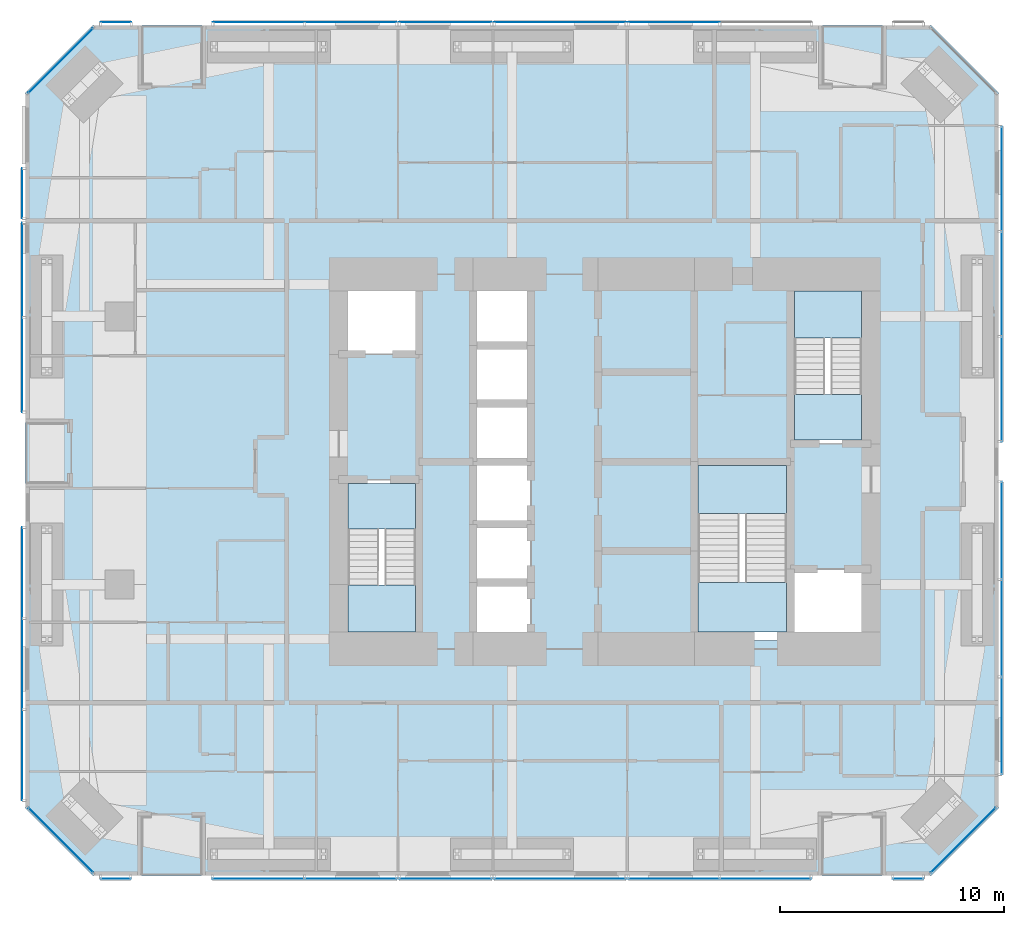
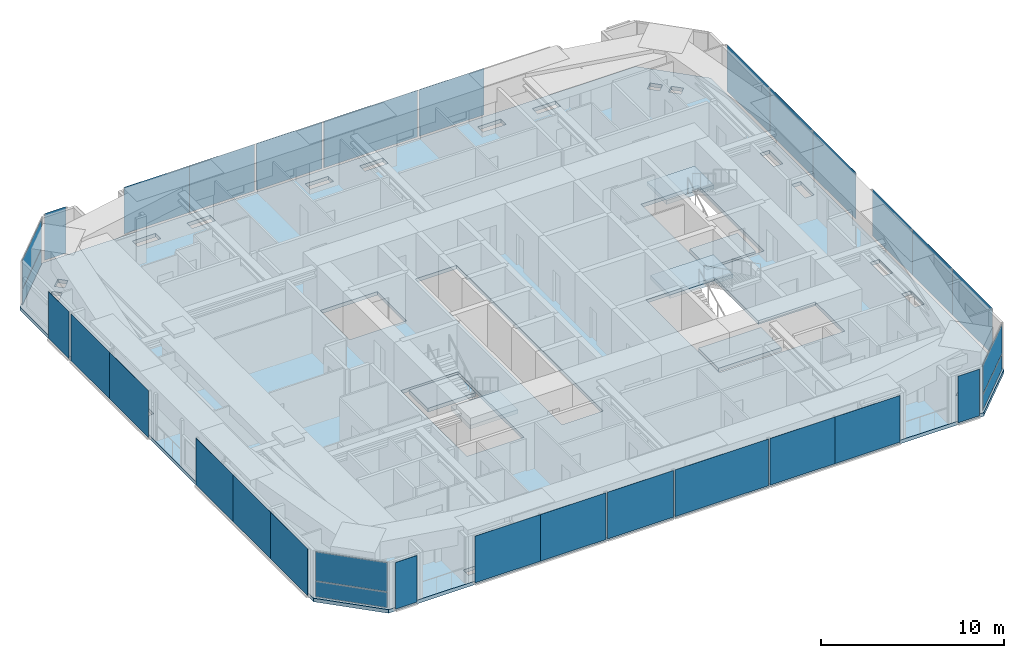
# One storey, part 15 of 23: 32 plates, 7 slabs, 22 elements without a shape of their own.
"""IFC4 building model written with IfcOpenShell, lengths in metres."""

from ifc_helpers import new_model, si_unit, direction, frame, origin, origin_2d, place, context, subcontext, project, spatial, polyline, rectangle, outline, extrude, material, layer, layer_set, type_object, element, aggregate, save


model = new_model("IFC4")

# Units and contexts
model_context = context("Model", 3, precision=1e-05, world=origin(), true_north=direction((0.0, 1.0)))
body_context = subcontext(model_context, "Body", "Model", "MODEL_VIEW")
ifc_project = project(units=[si_unit("LENGTHUNIT", "METRE"), si_unit("AREAUNIT", "SQUARE_METRE"), si_unit("VOLUMEUNIT", "CUBIC_METRE"), si_unit("PLANEANGLEUNIT", "RADIAN"), si_unit("MASSUNIT", "GRAM", prefix="KILO")], contexts=[model_context])

# Site, building, storey
site_placement = place(None, origin())
site = spatial("IfcSite", under=ifc_project, at=site_placement, CompositionType="ELEMENT")
building_placement = place(site_placement, origin())
building = spatial("IfcBuilding", under=site, at=building_placement, Name="Jalousie Tower", CompositionType="ELEMENT")
storey_placement = place(building_placement, frame((0.0, 0.0, 114.89990234375)))
storey = spatial("IfcBuildingStorey", under=building, at=storey_placement, Name="L31", CompositionType="ELEMENT", Elevation=114.89990234375)

# Curtain wall, plates
ifc_material_1 = material(Name="Aluminium curtain wall", Category="aluminium")
curtain_wall_type_1 = type_object("IfcCurtainWallType", Name="CORNER WINDOW WALL", PredefinedType="USERDEFINED", material=ifc_material_1)
curtain_wall_1_placement = place(storey_placement, origin())
curtain_wall_1 = element("IfcCurtainWall", 1, at=curtain_wall_1_placement, inside=storey, type_object=curtain_wall_type_1, Name="Corner Window Wall L31 2", ObjectType="CORNER WINDOW WALL", PredefinedType="USERDEFINED")
ifc_material_2 = material(Name="Laminated impact-rated spandrel glass", Category="glass")
ifc_layer_1 = layer(ifc_material_2, 0.028076171875)
ifc_layer_set_1 = layer_set([ifc_layer_1], Name="Laminated impact-rated spandrel glass")
plate_type_1 = type_object("IfcPlateType", Name="CORNER WINDOW WALL PANEL", PredefinedType="CURTAIN_PANEL", material=ifc_layer_set_1)
plate_1_placement = place(storey_placement, frame((47.9306640625, 1.5693359375, 0.06005859375), z_axis=(0.0, 0.0, 1.0), x_axis=(0.707106781187, 0.707106781187, 0.0)))
plate_1 = element("IfcPlate", 2, at=plate_1_placement, type_object=plate_type_1, Name="CW-C panel 1.1", PredefinedType="CURTAIN_PANEL", context=body_context, shape_type="SweptSolid", body=[
    extrude(rectangle(XDim=4.071533203125, YDim=0.028076171875, at=origin_2d()), origin(), (0.0, 0.0, 1.0), 1.010009765625),
])
plate_2_placement = place(storey_placement, frame((47.9306640625, 1.5693359375, 1.130126953125), z_axis=(0.0, 0.0, 1.0), x_axis=(0.707106781187, 0.707106781187, 0.0)))
plate_2 = element("IfcPlate", 3, at=plate_2_placement, type_object=plate_type_1, Name="CW-C panel 1.2", PredefinedType="CURTAIN_PANEL", context=body_context, shape_type="SweptSolid", body=[
    extrude(rectangle(XDim=4.071533203125, YDim=0.028076171875, at=origin_2d()), origin(), (0.0, 0.0, 1.0), 1.919921875),
])
aggregate(curtain_wall_1, [plate_1, plate_2])

curtain_wall_2_placement = place(storey_placement, origin())
curtain_wall_2 = element("IfcCurtainWall", 4, at=curtain_wall_2_placement, inside=storey, type_object=curtain_wall_type_1, Name="Corner Window Wall L31 6", ObjectType="CORNER WINDOW WALL", PredefinedType="USERDEFINED")
plate_3_placement = place(storey_placement, frame((7.5693359375, 36.4306640625, 0.06005859375), z_axis=(0.0, 0.0, 1.0), x_axis=(-0.707106781187, -0.707106781187, 0.0)))
plate_3 = element("IfcPlate", 5, at=plate_3_placement, type_object=plate_type_1, Name="CW-C panel 1.1", PredefinedType="CURTAIN_PANEL", context=body_context, shape_type="SweptSolid", body=[
    extrude(rectangle(XDim=4.071533203125, YDim=0.028076171875, at=origin_2d()), origin(), (0.0, 0.0, 1.0), 1.010009765625),
])
plate_4_placement = place(storey_placement, frame((7.5693359375, 36.4306640625, 1.130126953125), z_axis=(0.0, 0.0, 1.0), x_axis=(-0.707106781187, -0.707106781187, 0.0)))
plate_4 = element("IfcPlate", 6, at=plate_4_placement, type_object=plate_type_1, Name="CW-C panel 1.2", PredefinedType="CURTAIN_PANEL", context=body_context, shape_type="SweptSolid", body=[
    extrude(rectangle(XDim=4.071533203125, YDim=0.028076171875, at=origin_2d()), origin(), (0.0, 0.0, 1.0), 1.919921875),
])
aggregate(curtain_wall_2, [plate_3, plate_4])

curtain_wall_3_placement = place(storey_placement, origin())
curtain_wall_3 = element("IfcCurtainWall", 7, at=curtain_wall_3_placement, inside=storey, type_object=curtain_wall_type_1, Name="Corner Window Wall L31 8", ObjectType="CORNER WINDOW WALL", PredefinedType="USERDEFINED")
plate_5_placement = place(storey_placement, frame((7.5693359375, 1.5693359375, 0.06005859375), z_axis=(0.0, 0.0, 1.0), x_axis=(0.707106781187, -0.707106781187, 0.0)))
plate_5 = element("IfcPlate", 8, at=plate_5_placement, type_object=plate_type_1, Name="CW-C panel 1.1", PredefinedType="CURTAIN_PANEL", context=body_context, shape_type="SweptSolid", body=[
    extrude(rectangle(XDim=4.071533203125, YDim=0.028076171875, at=origin_2d()), origin(), (0.0, 0.0, 1.0), 1.010009765625),
])
plate_6_placement = place(storey_placement, frame((7.5693359375, 1.5693359375, 1.130126953125), z_axis=(0.0, 0.0, 1.0), x_axis=(0.707106781187, -0.707106781187, 0.0)))
plate_6 = element("IfcPlate", 9, at=plate_6_placement, type_object=plate_type_1, Name="CW-C panel 1.2", PredefinedType="CURTAIN_PANEL", context=body_context, shape_type="SweptSolid", body=[
    extrude(rectangle(XDim=4.071533203125, YDim=0.028076171875, at=origin_2d()), origin(), (0.0, 0.0, 1.0), 1.919921875),
])
aggregate(curtain_wall_3, [plate_5, plate_6])

# Slab
ifc_material_3 = material(Name="Concrete f'c 40 MPa", Category="concrete")
ifc_layer_2 = layer(ifc_material_3, 0.239990234375)
ifc_layer_set_2 = layer_set([ifc_layer_2], Name="Concrete f'c 40 MPa")
slab_type_1 = type_object("IfcSlabType", Name="FLOOR SLAB 240", PredefinedType="FLOOR", material=ifc_layer_set_2)
slab_1_placement = place(storey_placement, frame((0.0, 0.0, -0.239990234375)))
element("IfcSlab", 10, at=slab_1_placement, inside=storey, type_object=slab_type_1, Name="L31 floor slab", PredefinedType="FLOOR", context=body_context, shape_type="SweptSolid", body=[
    extrude(outline(polyline([(9.0, 0.0), (46.5, 0.0), (49.5, 3.0), (49.5, 35.0), (46.5, 38.0), (9.0, 38.0), (6.0, 35.0), (6.0, 3.0), (9.0, 0.0)]), holes=[polyline([(14.425048828125, 1.236083984375), (14.484619140625, 1.236083984375), (15.888916015625, 1.236083984375), (15.888916015625, 0.663818359375), (14.484619140625, 0.663818359375), (14.425048828125, 0.663818359375), (14.425048828125, 1.236083984375)]), polyline([(26.763916015625, 1.236083984375), (26.763916015625, 0.663818359375), (25.359619140625, 0.663818359375), (25.300048828125, 0.663818359375), (25.300048828125, 1.236083984375), (25.359619140625, 1.236083984375), (26.763916015625, 1.236083984375)]), polyline([(17.861083984375, 1.236083984375), (19.265380859375, 1.236083984375), (19.324951171875, 1.236083984375), (19.324951171875, 0.663818359375), (19.265380859375, 0.663818359375), (17.861083984375, 0.663818359375), (17.861083984375, 1.236083984375)]), polyline([(9.505615234375, 2.162109375), (9.1005859375, 1.75732421875), (8.98974609375, 1.868408203125), (8.98974609375, 1.868408203125), (8.604736328125, 2.25341796875), (9.009521484375, 2.658203125), (9.505615234375, 2.162109375)]), polyline([(8.162109375, 3.505615234375), (8.658203125, 3.009521484375), (8.25341796875, 2.604736328125), (7.868408203125, 2.98974609375), (7.868408203125, 2.98974609375), (7.75732421875, 3.1005859375), (8.060791015625, 3.404296875), (8.162109375, 3.505615234375)]), polyline([(7.236083984375, 10.550048828125), (6.663818359375, 10.550048828125), (6.663818359375, 10.609619140625), (6.663818359375, 12.013916015625), (7.236083984375, 12.013916015625), (7.236083984375, 10.609619140625), (7.236083984375, 10.550048828125)]), polyline([(26.0, 10.5), (26.0, 26.5), (28.60009765625, 26.5), (28.60009765625, 10.5), (26.0, 10.5)]), polyline([(20.0, 10.5), (23.60009765625, 10.5), (23.60009765625, 17.699951171875), (20.0, 17.699951171875), (20.0, 10.5)]), polyline([(7.236083984375, 15.390380859375), (7.236083984375, 13.986083984375), (6.663818359375, 13.986083984375), (6.663818359375, 15.390380859375), (6.663818359375, 15.449951171875), (7.236083984375, 15.449951171875), (7.236083984375, 15.390380859375)]), polyline([(6.663818359375, 24.013916015625), (7.236083984375, 24.013916015625), (7.236083984375, 22.609619140625), (7.236083984375, 22.550048828125), (6.663818359375, 22.550048828125), (6.663818359375, 22.609619140625), (6.663818359375, 24.013916015625)]), polyline([(20.0, 23.300048828125), (23.60009765625, 23.300048828125), (23.60009765625, 26.5), (20.0, 26.5), (20.0, 23.300048828125)]), polyline([(7.236083984375, 25.986083984375), (6.663818359375, 25.986083984375), (6.663818359375, 27.390380859375), (6.663818359375, 27.449951171875), (7.236083984375, 27.449951171875), (7.236083984375, 27.390380859375), (7.236083984375, 25.986083984375)]), polyline([(7.868408203125, 35.01025390625), (8.25341796875, 35.395263671875), (8.658203125, 34.990478515625), (8.162109375, 34.494384765625), (7.75732421875, 34.8994140625), (7.868408203125, 35.01025390625)]), polyline([(9.505615234375, 35.837890625), (9.505615234375, 35.837890625), (9.505615234375, 35.837890625), (9.39453125, 35.72705078125), (9.39453125, 35.72705078125), (9.009521484375, 35.341796875), (8.604736328125, 35.74658203125), (8.98974609375, 36.131591796875), (8.98974609375, 36.131591796875), (9.1005859375, 36.24267578125), (9.302978515625, 36.040283203125), (9.505615234375, 35.837890625)]), polyline([(26.763916015625, 36.763916015625), (25.359619140625, 36.763916015625), (25.300048828125, 36.763916015625), (25.300048828125, 37.336181640625), (25.359619140625, 37.336181640625), (26.763916015625, 37.336181640625), (26.763916015625, 36.763916015625)]), polyline([(19.324951171875, 37.336181640625), (19.324951171875, 36.763916015625), (19.265380859375, 36.763916015625), (17.861083984375, 36.763916015625), (17.861083984375, 37.336181640625), (19.265380859375, 37.336181640625), (19.324951171875, 37.336181640625)]), polyline([(14.425048828125, 36.763916015625), (14.425048828125, 37.336181640625), (14.484619140625, 37.336181640625), (15.888916015625, 37.336181640625), (15.888916015625, 36.763916015625), (14.484619140625, 36.763916015625), (14.425048828125, 36.763916015625)]), polyline([(28.736083984375, 0.663818359375), (28.736083984375, 1.236083984375), (30.140380859375, 1.236083984375), (30.199951171875, 1.236083984375), (30.199951171875, 0.663818359375), (30.140380859375, 0.663818359375), (28.736083984375, 0.663818359375)]), polyline([(36.234619140625, 0.663818359375), (36.175048828125, 0.663818359375), (36.175048828125, 1.236083984375), (36.234619140625, 1.236083984375), (37.638916015625, 1.236083984375), (37.638916015625, 0.663818359375), (36.234619140625, 0.663818359375)]), polyline([(41.015380859375, 1.236083984375), (41.074951171875, 1.236083984375), (41.074951171875, 0.663818359375), (41.015380859375, 0.663818359375), (39.611083984375, 0.663818359375), (39.611083984375, 1.236083984375), (41.015380859375, 1.236083984375)]), polyline([(46.895263671875, 2.25341796875), (46.3994140625, 1.75732421875), (46.156494140625, 2.0), (45.994384765625, 2.162109375), (45.994384765625, 2.162109375), (46.0537109375, 2.22119140625), (46.10546875, 2.27294921875), (46.490478515625, 2.658203125), (46.895263671875, 2.25341796875)]), polyline([(47.22705078125, 3.39453125), (47.22705078125, 3.39453125), (47.337890625, 3.505615234375), (47.337890625, 3.505615234375), (47.337890625, 3.505615234375), (47.540283203125, 3.302978515625), (47.74267578125, 3.1005859375), (47.631591796875, 2.98974609375), (47.631591796875, 2.98974609375), (47.24658203125, 2.604736328125), (46.841796875, 3.009521484375), (47.22705078125, 3.39453125)]), polyline([(48.836181640625, 10.550048828125), (48.263916015625, 10.550048828125), (48.263916015625, 10.609619140625), (48.263916015625, 12.013916015625), (48.836181640625, 12.013916015625), (48.836181640625, 10.609619140625), (48.836181640625, 10.550048828125)]), polyline([(35.89990234375, 18.5), (40.199951171875, 18.5), (40.199951171875, 13.699951171875), (43.800048828125, 13.699951171875), (43.800048828125, 10.5), (35.89990234375, 10.5), (35.89990234375, 18.5)]), polyline([(48.836181640625, 13.986083984375), (48.263916015625, 13.986083984375), (48.263916015625, 15.390380859375), (48.263916015625, 15.449951171875), (48.836181640625, 15.449951171875), (48.836181640625, 15.390380859375), (48.836181640625, 13.986083984375)]), polyline([(40.199951171875, 19.300048828125), (43.800048828125, 19.300048828125), (43.800048828125, 26.5), (40.199951171875, 26.5), (40.199951171875, 19.300048828125)]), polyline([(48.836181640625, 22.550048828125), (48.263916015625, 22.550048828125), (48.263916015625, 22.609619140625), (48.263916015625, 24.013916015625), (48.836181640625, 24.013916015625), (48.836181640625, 22.609619140625), (48.836181640625, 22.550048828125)]), polyline([(48.836181640625, 27.390380859375), (48.836181640625, 25.986083984375), (48.263916015625, 25.986083984375), (48.263916015625, 27.390380859375), (48.263916015625, 27.449951171875), (48.836181640625, 27.449951171875), (48.836181640625, 27.390380859375)]), polyline([(47.24658203125, 35.395263671875), (47.631591796875, 35.01025390625), (47.74267578125, 34.8994140625), (47.337890625, 34.494384765625), (46.841796875, 34.990478515625), (47.24658203125, 35.395263671875)]), polyline([(46.490478515625, 35.341796875), (45.994384765625, 35.837890625), (46.3994140625, 36.24267578125), (46.51025390625, 36.131591796875), (46.895263671875, 35.74658203125), (46.490478515625, 35.341796875)]), polyline([(41.015380859375, 37.336181640625), (41.074951171875, 37.336181640625), (41.074951171875, 36.763916015625), (41.015380859375, 36.763916015625), (39.611083984375, 36.763916015625), (39.611083984375, 37.336181640625), (41.015380859375, 37.336181640625)]), polyline([(37.638916015625, 37.336181640625), (37.638916015625, 36.763916015625), (36.234619140625, 36.763916015625), (36.175048828125, 36.763916015625), (36.175048828125, 37.336181640625), (36.234619140625, 37.336181640625), (37.638916015625, 37.336181640625)]), polyline([(28.736083984375, 37.336181640625), (30.140380859375, 37.336181640625), (30.199951171875, 37.336181640625), (30.199951171875, 36.763916015625), (30.140380859375, 36.763916015625), (28.736083984375, 36.763916015625), (28.736083984375, 37.336181640625)])]), origin(), (0.0, 0.0, 1.0), 0.239990234375),
])

# Curtain wall, plate
ifc_material_4 = material(Name="Perforated aluminium sheet", Category="aluminium")
curtain_wall_type_2 = type_object("IfcCurtainWallType", Name="SOLAR SCREEN SS-1", PredefinedType="USERDEFINED", material=ifc_material_4)
curtain_wall_4_placement = place(storey_placement, origin())
curtain_wall_4 = element("IfcCurtainWall", 11, at=curtain_wall_4_placement, inside=storey, type_object=curtain_wall_type_2, Name="Solar screen L31", ObjectType="SOLAR SCREEN SS-1", PredefinedType="USERDEFINED")
ifc_material_5 = material(Name="Perforated aluminium sheet", Category="aluminium")
ifc_layer_3 = layer(ifc_material_5, 0.006103515625)
ifc_layer_set_3 = layer_set([ifc_layer_3], Name="Perforated aluminium sheet")
plate_type_2 = type_object("IfcPlateType", Name="SOLAR SCREEN SS-1 PANEL", PredefinedType="CURTAIN_PANEL", material=ifc_layer_set_3)
plate_7_placement = place(storey_placement, frame((10.0263671875, -0.150390625, 0.0), z_axis=(0.0, 0.0, 1.0), x_axis=(1.0, 0.0, 0.0)))
plate_7 = element("IfcPlate", 12, at=plate_7_placement, type_object=plate_type_2, Name="SS1 perforated panel 1", PredefinedType="CURTAIN_PANEL", context=body_context, shape_type="SweptSolid", body=[
    extrude(rectangle(XDim=1.35009765625, YDim=0.006103515625, at=origin_2d()), origin(), (0.0, 0.0, 1.0), 3.110107421875),
])
aggregate(curtain_wall_4, [plate_7])

# Curtain wall, plates
curtain_wall_5_placement = place(storey_placement, origin())
curtain_wall_5 = element("IfcCurtainWall", 13, at=curtain_wall_5_placement, inside=storey, type_object=curtain_wall_type_2, Name="Solar screen L31", ObjectType="SOLAR SCREEN SS-1", PredefinedType="USERDEFINED")
plate_8_placement = place(storey_placement, frame((16.41357421875, -0.150390625, 0.0), z_axis=(0.0, 0.0, 1.0), x_axis=(1.0, 0.0, 0.0)))
plate_8 = element("IfcPlate", 14, at=plate_8_placement, type_object=plate_type_2, Name="SS1 perforated panel 1", PredefinedType="CURTAIN_PANEL", context=body_context, shape_type="SweptSolid", body=[
    extrude(rectangle(XDim=4.12451171875, YDim=0.006103515625, at=origin_2d()), origin(), (0.0, 0.0, 1.0), 3.110107421875),
])
plate_9_placement = place(storey_placement, frame((20.537841796875, -0.150390625, 0.0), z_axis=(0.0, 0.0, 1.0), x_axis=(1.0, 0.0, 0.0)))
plate_9 = element("IfcPlate", 15, at=plate_9_placement, type_object=plate_type_2, Name="SS1 perforated panel 2", PredefinedType="CURTAIN_PANEL", context=body_context, shape_type="SweptSolid", body=[
    extrude(rectangle(XDim=4.12451171875, YDim=0.006103515625, at=origin_2d()), origin(), (0.0, 0.0, 1.0), 3.110107421875),
])
aggregate(curtain_wall_5, [plate_8, plate_9])

# Curtain wall, plate
curtain_wall_6_placement = place(storey_placement, origin())
curtain_wall_6 = element("IfcCurtainWall", 16, at=curtain_wall_6_placement, inside=storey, type_object=curtain_wall_type_2, Name="Solar screen L31", ObjectType="SOLAR SCREEN SS-1", PredefinedType="USERDEFINED")
plate_10_placement = place(storey_placement, frame((24.77490234375, -0.150390625, 0.0), z_axis=(0.0, 0.0, 1.0), x_axis=(1.0, 0.0, 0.0)))
plate_10 = element("IfcPlate", 17, at=plate_10_placement, type_object=plate_type_2, Name="SS1 perforated panel 1", PredefinedType="CURTAIN_PANEL", context=body_context, shape_type="SweptSolid", body=[
    extrude(rectangle(XDim=4.14990234375, YDim=0.006103515625, at=origin_2d()), origin(), (0.0, 0.0, 1.0), 3.110107421875),
])
aggregate(curtain_wall_6, [plate_10])

curtain_wall_7_placement = place(storey_placement, origin())
curtain_wall_7 = element("IfcCurtainWall", 18, at=curtain_wall_7_placement, inside=storey, type_object=curtain_wall_type_2, Name="Solar screen L31", ObjectType="SOLAR SCREEN SS-1", PredefinedType="USERDEFINED")
plate_11_placement = place(storey_placement, frame((29.89990234375, -0.150390625, 0.0), z_axis=(0.0, 0.0, 1.0), x_axis=(1.0, 0.0, 0.0)))
plate_11 = element("IfcPlate", 19, at=plate_11_placement, type_object=plate_type_2, Name="SS1 perforated panel 1", PredefinedType="CURTAIN_PANEL", context=body_context, shape_type="SweptSolid", body=[
    extrude(rectangle(XDim=5.89990234375, YDim=0.006103515625, at=origin_2d()), origin(), (0.0, 0.0, 1.0), 3.110107421875),
])
aggregate(curtain_wall_7, [plate_11])

# Curtain wall, plates
curtain_wall_8_placement = place(storey_placement, origin())
curtain_wall_8 = element("IfcCurtainWall", 20, at=curtain_wall_8_placement, inside=storey, type_object=curtain_wall_type_2, Name="Solar screen L31", ObjectType="SOLAR SCREEN SS-1", PredefinedType="USERDEFINED")
plate_12_placement = place(storey_placement, frame((34.993896484375, -0.150390625, 0.0), z_axis=(0.0, 0.0, 1.0), x_axis=(1.0, 0.0, 0.0)))
plate_12 = element("IfcPlate", 21, at=plate_12_placement, type_object=plate_type_2, Name="SS1 perforated panel 1", PredefinedType="CURTAIN_PANEL", context=body_context, shape_type="SweptSolid", body=[
    extrude(rectangle(XDim=4.08740234375, YDim=0.006103515625, at=origin_2d()), origin(), (0.0, 0.0, 1.0), 3.110107421875),
])
plate_13_placement = place(storey_placement, frame((39.081298828125, -0.150390625, 0.0), z_axis=(0.0, 0.0, 1.0), x_axis=(1.0, 0.0, 0.0)))
plate_13 = element("IfcPlate", 22, at=plate_13_placement, type_object=plate_type_2, Name="SS1 perforated panel 2", PredefinedType="CURTAIN_PANEL", context=body_context, shape_type="SweptSolid", body=[
    extrude(rectangle(XDim=4.08740234375, YDim=0.006103515625, at=origin_2d()), origin(), (0.0, 0.0, 1.0), 3.110107421875),
])
aggregate(curtain_wall_8, [plate_12, plate_13])

# Curtain wall, plate
curtain_wall_9_placement = place(storey_placement, origin())
curtain_wall_9 = element("IfcCurtainWall", 23, at=curtain_wall_9_placement, inside=storey, type_object=curtain_wall_type_2, Name="Solar screen L31", ObjectType="SOLAR SCREEN SS-1", PredefinedType="USERDEFINED")
plate_14_placement = place(storey_placement, frame((45.4619140625, -0.150390625, 0.0), z_axis=(0.0, 0.0, 1.0), x_axis=(1.0, 0.0, 0.0)))
plate_14 = element("IfcPlate", 24, at=plate_14_placement, type_object=plate_type_2, Name="SS1 perforated panel 1", PredefinedType="CURTAIN_PANEL", context=body_context, shape_type="SweptSolid", body=[
    extrude(rectangle(XDim=1.373779296875, YDim=0.006103515625, at=origin_2d()), origin(), (0.0, 0.0, 1.0), 3.110107421875),
])
aggregate(curtain_wall_9, [plate_14])

# Curtain wall, plates
curtain_wall_10_placement = place(storey_placement, origin())
curtain_wall_10 = element("IfcCurtainWall", 25, at=curtain_wall_10_placement, inside=storey, type_object=curtain_wall_type_2, Name="Solar screen L31", ObjectType="SOLAR SCREEN SS-1", PredefinedType="USERDEFINED")
plate_15_placement = place(storey_placement, frame((49.650390625, 6.69482421875, 0.0), z_axis=(0.0, 0.0, 1.0), x_axis=(0.0, 1.0, 0.0)))
plate_15 = element("IfcPlate", 26, at=plate_15_placement, type_object=plate_type_2, Name="SS1 perforated panel 1", PredefinedType="CURTAIN_PANEL", context=body_context, shape_type="SweptSolid", body=[
    extrude(rectangle(XDim=4.362060546875, YDim=0.006103515625, at=origin_2d()), origin(), (0.0, 0.0, 1.0), 3.110107421875),
])
plate_16_placement = place(storey_placement, frame((49.650390625, 11.056884765625, 0.0), z_axis=(0.0, 0.0, 1.0), x_axis=(0.0, 1.0, 0.0)))
plate_16 = element("IfcPlate", 27, at=plate_16_placement, type_object=plate_type_2, Name="SS1 perforated panel 2", PredefinedType="CURTAIN_PANEL", context=body_context, shape_type="SweptSolid", body=[
    extrude(rectangle(XDim=4.362060546875, YDim=0.006103515625, at=origin_2d()), origin(), (0.0, 0.0, 1.0), 3.110107421875),
])
plate_17_placement = place(storey_placement, frame((49.650390625, 15.4189453125, 0.0), z_axis=(0.0, 0.0, 1.0), x_axis=(0.0, 1.0, 0.0)))
plate_17 = element("IfcPlate", 28, at=plate_17_placement, type_object=plate_type_2, Name="SS1 perforated panel 3", PredefinedType="CURTAIN_PANEL", context=body_context, shape_type="SweptSolid", body=[
    extrude(rectangle(XDim=4.362060546875, YDim=0.006103515625, at=origin_2d()), origin(), (0.0, 0.0, 1.0), 3.110107421875),
])
aggregate(curtain_wall_10, [plate_15, plate_16, plate_17])

curtain_wall_11_placement = place(storey_placement, origin())
curtain_wall_11 = element("IfcCurtainWall", 29, at=curtain_wall_11_placement, inside=storey, type_object=curtain_wall_type_2, Name="Solar screen L31", ObjectType="SOLAR SCREEN SS-1", PredefinedType="USERDEFINED")
plate_18_placement = place(storey_placement, frame((49.650390625, 21.747802734375, 0.0), z_axis=(0.0, 0.0, 1.0), x_axis=(0.0, 1.0, 0.0)))
plate_18 = element("IfcPlate", 30, at=plate_18_placement, type_object=plate_type_2, Name="SS1 perforated panel 1", PredefinedType="CURTAIN_PANEL", context=body_context, shape_type="SweptSolid", body=[
    extrude(rectangle(XDim=4.6953125, YDim=0.006103515625, at=origin_2d()), origin(), (0.0, 0.0, 1.0), 3.110107421875),
])
plate_19_placement = place(storey_placement, frame((49.650390625, 26.443115234375, 0.0), z_axis=(0.0, 0.0, 1.0), x_axis=(0.0, 1.0, 0.0)))
plate_19 = element("IfcPlate", 31, at=plate_19_placement, type_object=plate_type_2, Name="SS1 perforated panel 2", PredefinedType="CURTAIN_PANEL", context=body_context, shape_type="SweptSolid", body=[
    extrude(rectangle(XDim=4.6953125, YDim=0.006103515625, at=origin_2d()), origin(), (0.0, 0.0, 1.0), 3.110107421875),
])
plate_20_placement = place(storey_placement, frame((49.650390625, 31.138427734375, 0.0), z_axis=(0.0, 0.0, 1.0), x_axis=(0.0, 1.0, 0.0)))
plate_20 = element("IfcPlate", 32, at=plate_20_placement, type_object=plate_type_2, Name="SS1 perforated panel 3", PredefinedType="CURTAIN_PANEL", context=body_context, shape_type="SweptSolid", body=[
    extrude(rectangle(XDim=4.6953125, YDim=0.006103515625, at=origin_2d()), origin(), (0.0, 0.0, 1.0), 3.110107421875),
])
aggregate(curtain_wall_11, [plate_18, plate_19, plate_20])

# Curtain wall, plate
curtain_wall_12_placement = place(storey_placement, origin())
curtain_wall_12 = element("IfcCurtainWall", 33, at=curtain_wall_12_placement, inside=storey, type_object=curtain_wall_type_2, Name="Solar screen L31", ObjectType="SOLAR SCREEN SS-1", PredefinedType="USERDEFINED")
plate_21_placement = place(storey_placement, frame((34.999755859375, 38.150390625, 0.0), z_axis=(0.0, 0.0, 1.0), x_axis=(-1.0, 0.0, 0.0)))
plate_21 = element("IfcPlate", 34, at=plate_21_placement, type_object=plate_type_2, Name="SS1 perforated panel 2", PredefinedType="CURTAIN_PANEL", context=body_context, shape_type="SweptSolid", body=[
    extrude(rectangle(XDim=4.099365234375, YDim=0.006103515625, at=origin_2d()), origin(), (0.0, 0.0, 1.0), 3.110107421875),
])
aggregate(curtain_wall_12, [plate_21])

curtain_wall_13_placement = place(storey_placement, origin())
curtain_wall_13 = element("IfcCurtainWall", 35, at=curtain_wall_13_placement, inside=storey, type_object=curtain_wall_type_2, Name="Solar screen L31", ObjectType="SOLAR SCREEN SS-1", PredefinedType="USERDEFINED")
plate_22_placement = place(storey_placement, frame((29.89990234375, 38.150390625, 0.0), z_axis=(0.0, 0.0, 1.0), x_axis=(-1.0, 0.0, 0.0)))
plate_22 = element("IfcPlate", 36, at=plate_22_placement, type_object=plate_type_2, Name="SS1 perforated panel 1", PredefinedType="CURTAIN_PANEL", context=body_context, shape_type="SweptSolid", body=[
    extrude(rectangle(XDim=5.89990234375, YDim=0.006103515625, at=origin_2d()), origin(), (0.0, 0.0, 1.0), 3.110107421875),
])
aggregate(curtain_wall_13, [plate_22])

curtain_wall_14_placement = place(storey_placement, origin())
curtain_wall_14 = element("IfcCurtainWall", 37, at=curtain_wall_14_placement, inside=storey, type_object=curtain_wall_type_2, Name="Solar screen L31", ObjectType="SOLAR SCREEN SS-1", PredefinedType="USERDEFINED")
plate_23_placement = place(storey_placement, frame((24.77490234375, 38.150390625, 0.0), z_axis=(0.0, 0.0, 1.0), x_axis=(-1.0, 0.0, 0.0)))
plate_23 = element("IfcPlate", 38, at=plate_23_placement, type_object=plate_type_2, Name="SS1 perforated panel 1", PredefinedType="CURTAIN_PANEL", context=body_context, shape_type="SweptSolid", body=[
    extrude(rectangle(XDim=4.14990234375, YDim=0.006103515625, at=origin_2d()), origin(), (0.0, 0.0, 1.0), 3.110107421875),
])
aggregate(curtain_wall_14, [plate_23])

# Curtain wall, plates
curtain_wall_15_placement = place(storey_placement, origin())
curtain_wall_15 = element("IfcCurtainWall", 39, at=curtain_wall_15_placement, inside=storey, type_object=curtain_wall_type_2, Name="Solar screen L31", ObjectType="SOLAR SCREEN SS-1", PredefinedType="USERDEFINED")
plate_24_placement = place(storey_placement, frame((20.543701171875, 38.150390625, 0.0), z_axis=(0.0, 0.0, 1.0), x_axis=(-1.0, 0.0, 0.0)))
plate_24 = element("IfcPlate", 40, at=plate_24_placement, type_object=plate_type_2, Name="SS1 perforated panel 1", PredefinedType="CURTAIN_PANEL", context=body_context, shape_type="SweptSolid", body=[
    extrude(rectangle(XDim=4.112548828125, YDim=0.006103515625, at=origin_2d()), origin(), (0.0, 0.0, 1.0), 3.110107421875),
])
plate_25_placement = place(storey_placement, frame((16.43115234375, 38.150390625, 0.0), z_axis=(0.0, 0.0, 1.0), x_axis=(-1.0, 0.0, 0.0)))
plate_25 = element("IfcPlate", 41, at=plate_25_placement, type_object=plate_type_2, Name="SS1 perforated panel 2", PredefinedType="CURTAIN_PANEL", context=body_context, shape_type="SweptSolid", body=[
    extrude(rectangle(XDim=4.112548828125, YDim=0.006103515625, at=origin_2d()), origin(), (0.0, 0.0, 1.0), 3.110107421875),
])
aggregate(curtain_wall_15, [plate_24, plate_25])

# Curtain wall, plate
curtain_wall_16_placement = place(storey_placement, origin())
curtain_wall_16 = element("IfcCurtainWall", 42, at=curtain_wall_16_placement, inside=storey, type_object=curtain_wall_type_2, Name="Solar screen L31", ObjectType="SOLAR SCREEN SS-1", PredefinedType="USERDEFINED")
plate_26_placement = place(storey_placement, frame((10.0380859375, 38.150390625, 0.0), z_axis=(0.0, 0.0, 1.0), x_axis=(-1.0, 0.0, 0.0)))
plate_26 = element("IfcPlate", 43, at=plate_26_placement, type_object=plate_type_2, Name="SS1 perforated panel 1", PredefinedType="CURTAIN_PANEL", context=body_context, shape_type="SweptSolid", body=[
    extrude(rectangle(XDim=1.373779296875, YDim=0.006103515625, at=origin_2d()), origin(), (0.0, 0.0, 1.0), 3.110107421875),
])
aggregate(curtain_wall_16, [plate_26])

curtain_wall_17_placement = place(storey_placement, origin())
curtain_wall_17 = element("IfcCurtainWall", 44, at=curtain_wall_17_placement, inside=storey, type_object=curtain_wall_type_2, Name="Solar screen L31", ObjectType="SOLAR SCREEN SS-1", PredefinedType="USERDEFINED")
plate_27_placement = place(storey_placement, frame((5.849609375, 30.49365234375, 0.0), z_axis=(0.0, 0.0, 1.0), x_axis=(0.0, -1.0, 0.0)))
plate_27 = element("IfcPlate", 45, at=plate_27_placement, type_object=plate_type_2, Name="SS1 perforated panel 1", PredefinedType="CURTAIN_PANEL", context=body_context, shape_type="SweptSolid", body=[
    extrude(rectangle(XDim=2.2373046875, YDim=0.006103515625, at=origin_2d()), origin(), (0.0, 0.0, 1.0), 3.110107421875),
])
aggregate(curtain_wall_17, [plate_27])

# Curtain wall, plates
curtain_wall_18_placement = place(storey_placement, origin())
curtain_wall_18 = element("IfcCurtainWall", 46, at=curtain_wall_18_placement, inside=storey, type_object=curtain_wall_type_2, Name="Solar screen L31", ObjectType="SOLAR SCREEN SS-1", PredefinedType="USERDEFINED")
plate_28_placement = place(storey_placement, frame((5.849609375, 27.060302734375, 0.0), z_axis=(0.0, 0.0, 1.0), x_axis=(0.0, -1.0, 0.0)))
plate_28 = element("IfcPlate", 47, at=plate_28_placement, type_object=plate_type_2, Name="SS1 perforated panel 1", PredefinedType="CURTAIN_PANEL", context=body_context, shape_type="SweptSolid", body=[
    extrude(rectangle(XDim=4.229248046875, YDim=0.006103515625, at=origin_2d()), origin(), (0.0, 0.0, 1.0), 3.110107421875),
])
plate_29_placement = place(storey_placement, frame((5.849609375, 22.831298828125, 0.0), z_axis=(0.0, 0.0, 1.0), x_axis=(0.0, -1.0, 0.0)))
plate_29 = element("IfcPlate", 48, at=plate_29_placement, type_object=plate_type_2, Name="SS1 perforated panel 2", PredefinedType="CURTAIN_PANEL", context=body_context, shape_type="SweptSolid", body=[
    extrude(rectangle(XDim=4.229248046875, YDim=0.006103515625, at=origin_2d()), origin(), (0.0, 0.0, 1.0), 3.110107421875),
])
aggregate(curtain_wall_18, [plate_28, plate_29])

curtain_wall_19_placement = place(storey_placement, origin())
curtain_wall_19 = element("IfcCurtainWall", 49, at=curtain_wall_19_placement, inside=storey, type_object=curtain_wall_type_2, Name="Solar screen L31", ObjectType="SOLAR SCREEN SS-1", PredefinedType="USERDEFINED")
plate_30_placement = place(storey_placement, frame((5.849609375, 13.523681640625, 0.0), z_axis=(0.0, 0.0, 1.0), x_axis=(0.0, -1.0, 0.0)))
plate_30 = element("IfcPlate", 50, at=plate_30_placement, type_object=plate_type_2, Name="SS1 perforated panel 1", PredefinedType="CURTAIN_PANEL", context=body_context, shape_type="SweptSolid", body=[
    extrude(rectangle(XDim=4.069091796875, YDim=0.006103515625, at=origin_2d()), origin(), (0.0, 0.0, 1.0), 3.110107421875),
])
plate_31_placement = place(storey_placement, frame((5.849609375, 9.454833984375, 0.0), z_axis=(0.0, 0.0, 1.0), x_axis=(0.0, -1.0, 0.0)))
plate_31 = element("IfcPlate", 51, at=plate_31_placement, type_object=plate_type_2, Name="SS1 perforated panel 2", PredefinedType="CURTAIN_PANEL", context=body_context, shape_type="SweptSolid", body=[
    extrude(rectangle(XDim=4.069091796875, YDim=0.006103515625, at=origin_2d()), origin(), (0.0, 0.0, 1.0), 3.110107421875),
])
plate_32_placement = place(storey_placement, frame((5.849609375, 5.3857421875, 0.0), z_axis=(0.0, 0.0, 1.0), x_axis=(0.0, -1.0, 0.0)))
plate_32 = element("IfcPlate", 52, at=plate_32_placement, type_object=plate_type_2, Name="SS1 perforated panel 3", PredefinedType="CURTAIN_PANEL", context=body_context, shape_type="SweptSolid", body=[
    extrude(rectangle(XDim=4.069091796875, YDim=0.006103515625, at=origin_2d()), origin(), (0.0, 0.0, 1.0), 3.110107421875),
])
aggregate(curtain_wall_19, [plate_30, plate_31, plate_32])

# Stair, slabs
ifc_material_6 = material(Name="Concrete f'c 40 MPa", Category="concrete")
stair_type = type_object("IfcStairType", Name="EXIT STAIR", PredefinedType="HALF_TURN_STAIR", material=ifc_material_6)
stair_1_placement = place(storey_placement, origin())
stair_1 = element("IfcStair", 53, at=stair_1_placement, inside=storey, type_object=stair_type, Name="Exit stair A L31", PredefinedType="HALF_TURN_STAIR")
ifc_material_7 = material(Name="Concrete f'c 40 MPa", Category="concrete")
ifc_layer_4 = layer(ifc_material_7, 0.25)
ifc_layer_set_4 = layer_set([ifc_layer_4], Name="Concrete f'c 40 MPa")
slab_type_2 = type_object("IfcSlabType", Name="STAIR LANDING 250", PredefinedType="LANDING", material=ifc_layer_set_4)
slab_2_placement = place(storey_placement, frame((0.0, 0.0, -0.25)))
slab_2 = element("IfcSlab", 54, at=slab_2_placement, type_object=slab_type_2, Name="ST-A landing 1", PredefinedType="LANDING", context=body_context, shape_type="SweptSolid", body=[
    extrude(outline(polyline([(20.425048828125, 15.49755859375), (23.425048828125, 15.49755859375), (23.425048828125, 17.52490234375), (20.425048828125, 17.52490234375), (20.425048828125, 15.49755859375)])), origin(), (0.0, 0.0, 1.0), 0.25),
])
slab_3_placement = place(storey_placement, frame((0.0, 0.0, 1.425048828125)))
slab_3 = element("IfcSlab", 55, at=slab_3_placement, type_object=slab_type_2, Name="ST-A landing 2", PredefinedType="LANDING", context=body_context, shape_type="SweptSolid", body=[
    extrude(outline(polyline([(20.425048828125, 10.875), (23.425048828125, 10.875), (23.425048828125, 12.9775390625), (20.425048828125, 12.9775390625), (20.425048828125, 10.875)])), origin(), (0.0, 0.0, 1.0), 0.25),
])
aggregate(stair_1, [slab_2, slab_3])

stair_2_placement = place(storey_placement, origin())
stair_2 = element("IfcStair", 56, at=stair_2_placement, inside=storey, type_object=stair_type, Name="Exit stair B L31", PredefinedType="HALF_TURN_STAIR")
slab_4_placement = place(storey_placement, frame((0.0, 0.0, -0.25)))
slab_4 = element("IfcSlab", 57, at=slab_4_placement, type_object=slab_type_2, Name="ST-B landing 1", PredefinedType="LANDING", context=body_context, shape_type="SweptSolid", body=[
    extrude(outline(polyline([(40.375, 19.47509765625), (43.375, 19.47509765625), (43.375, 21.50244140625), (40.375, 21.50244140625), (40.375, 19.47509765625)])), origin(), (0.0, 0.0, 1.0), 0.25),
])
slab_5_placement = place(storey_placement, frame((0.0, 0.0, 1.425048828125)))
slab_5 = element("IfcSlab", 58, at=slab_5_placement, type_object=slab_type_2, Name="ST-B landing 2", PredefinedType="LANDING", context=body_context, shape_type="SweptSolid", body=[
    extrude(outline(polyline([(40.375, 24.0224609375), (43.375, 24.0224609375), (43.375, 26.125), (40.375, 26.125), (40.375, 24.0224609375)])), origin(), (0.0, 0.0, 1.0), 0.25),
])
aggregate(stair_2, [slab_4, slab_5])

stair_3_placement = place(storey_placement, origin())
stair_3 = element("IfcStair", 59, at=stair_3_placement, inside=storey, type_object=stair_type, Name="Exit stair C L31", PredefinedType="HALF_TURN_STAIR")
slab_6_placement = place(storey_placement, frame((0.0, 0.0, -0.25)))
slab_6 = element("IfcSlab", 60, at=slab_6_placement, type_object=slab_type_2, Name="ST-C landing 1", PredefinedType="LANDING", context=body_context, shape_type="SweptSolid", body=[
    extrude(outline(polyline([(36.074951171875, 10.875), (40.02490234375, 10.875), (40.02490234375, 13.097412109375), (36.074951171875, 13.097412109375), (36.074951171875, 10.875)])), origin(), (0.0, 0.0, 1.0), 0.25),
])
slab_7_placement = place(storey_placement, frame((0.0, 0.0, 1.425048828125)))
slab_7 = element("IfcSlab", 61, at=slab_7_placement, type_object=slab_type_2, Name="ST-C landing 2", PredefinedType="LANDING", context=body_context, shape_type="SweptSolid", body=[
    extrude(outline(polyline([(36.074951171875, 16.177490234375), (40.02490234375, 16.177490234375), (40.02490234375, 18.324951171875), (36.074951171875, 18.324951171875), (36.074951171875, 16.177490234375)])), origin(), (0.0, 0.0, 1.0), 0.25),
])
aggregate(stair_3, [slab_6, slab_7])

save(model, "model.ifc")
